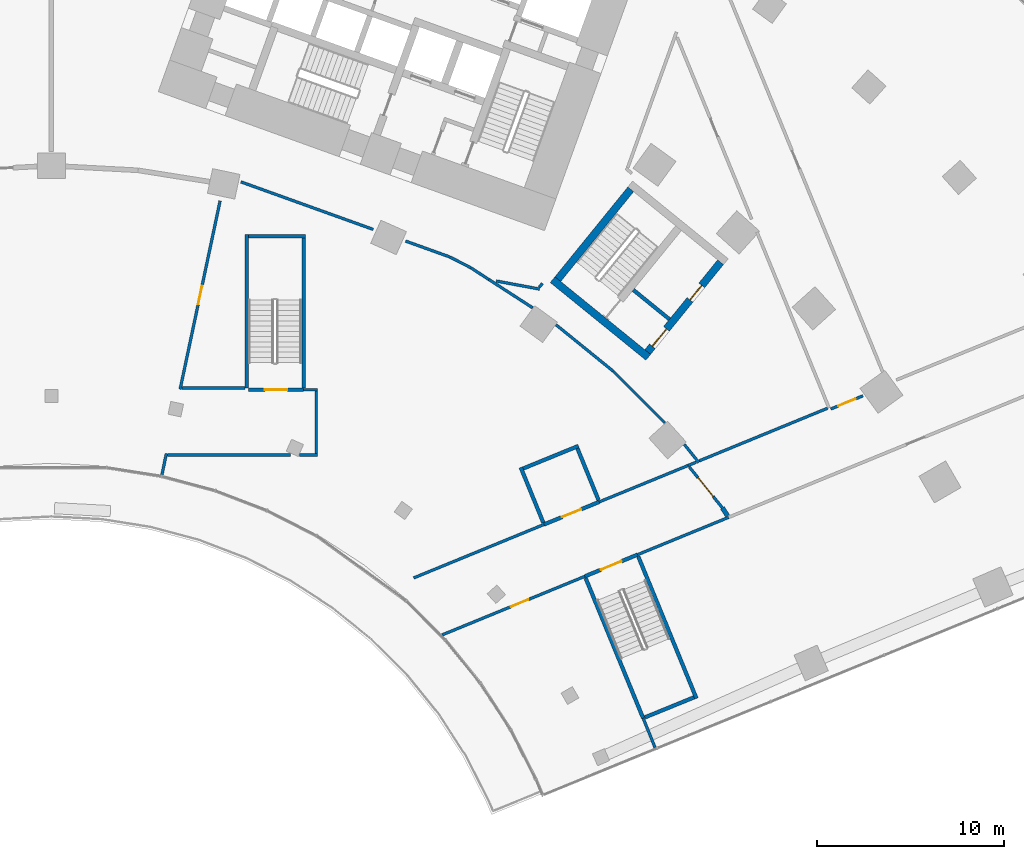
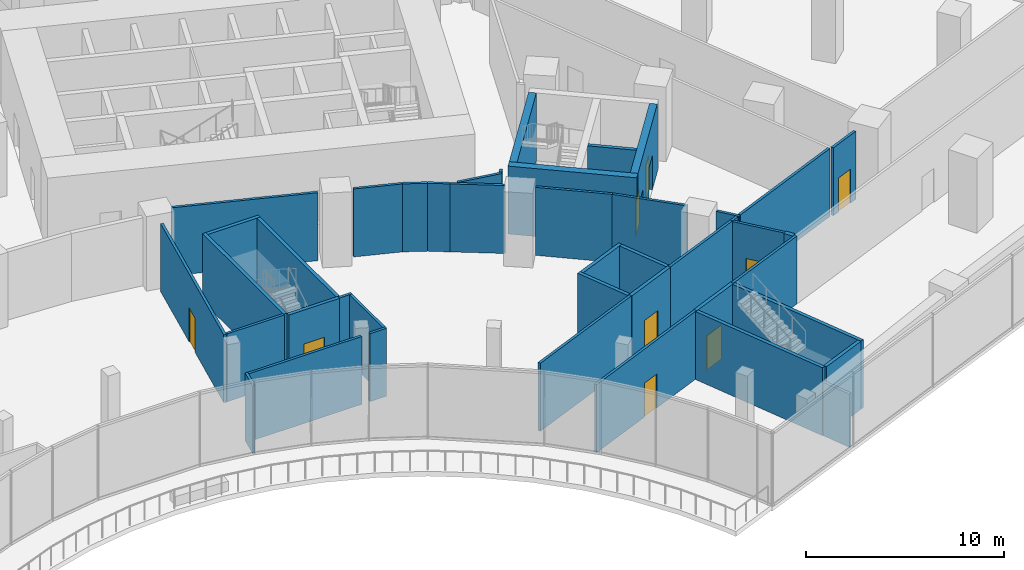
# One storey, part 26 of 39: 43 walls, 9 doors, 9 openings.
"""IFC4 building model written with IfcOpenShell, lengths in metres."""

from ifc_helpers import new_model, si_unit, direction, frame, frame_2d, origin, place, context, subcontext, project, spatial, rectangle, extrude, material, layer, layer_set, type_object, element, fill, save


model = new_model("IFC4")

# Units and contexts
model_context = context("Model", 3, precision=1e-05, world=origin(), true_north=direction((0.0, 1.0)))
body_context = subcontext(model_context, "Body", "Model", "MODEL_VIEW")
ifc_project = project(units=[si_unit("LENGTHUNIT", "METRE"), si_unit("AREAUNIT", "SQUARE_METRE"), si_unit("VOLUMEUNIT", "CUBIC_METRE"), si_unit("PLANEANGLEUNIT", "RADIAN"), si_unit("MASSUNIT", "GRAM", prefix="KILO")], contexts=[model_context])

# Site, building, storey
site_placement = place(None, origin())
site = spatial("IfcSite", under=ifc_project, at=site_placement, CompositionType="ELEMENT")
building_placement = place(site_placement, origin())
building = spatial("IfcBuilding", under=site, at=building_placement, Name="Stone Belt Terrace Tower", CompositionType="ELEMENT")
storey_placement = place(building_placement, frame((0.0, 0.0, 20.800048828125)))
storey = spatial("IfcBuildingStorey", under=building, at=storey_placement, Name="L04", CompositionType="ELEMENT", Elevation=20.800048828125)

# Walls
ifc_material_1 = material(Name="Fire-resistant glazing in steel frame", Category="steel")
ifc_layer_1 = layer(ifc_material_1, 0.25)
ifc_layer_set_1 = layer_set([ifc_layer_1], Name="Glazed compartment fire screen 250")
wall_type_1 = type_object("IfcWallType", Name="Glazed compartment fire screen 250", PredefinedType="PARTITIONING", material=ifc_layer_set_1)
wall_1_placement = place(storey_placement, frame((35.96337890625, 26.11474609375, 0.0), z_axis=(0.0, 0.0, 1.0), x_axis=(0.547453853433, -0.836835873013, 0.0)))
element("IfcWall", 1, at=wall_1_placement, inside=storey, type_object=wall_type_1, Name="Compartment fire screen L04 8", PredefinedType="PARTITIONING", context=body_context, shape_type="SweptSolid", body=[
    extrude(rectangle(XDim=0.5146484375, YDim=0.25, at=frame_2d((0.25732421875, 0.0))), origin(), (0.0, 0.0, 1.0), 4.199951171875),
])
ifc_material_2 = material(Name="Reinforced blockwork wall, plastered both faces", Category="masonry")
ifc_layer_2 = layer(ifc_material_2, 0.199951171875)
ifc_layer_set_2 = layer_set([ifc_layer_2], Name="Podium lift shaft wall 200")
wall_type_2 = type_object("IfcWallType", Name="Podium lift shaft wall 200", PredefinedType="SOLIDWALL", material=ifc_layer_set_2)
for number, where, z_axis, x_axis, name in (
    (2, (25.162109375, 28.272705078125, 0.0), (0.0, 0.0, 1.0), (0.378421783721, -0.925633271661, 0.0), "Podium lift shaft wall 200"),
    (3, (25.29248046875, 28.2177734375, 0.0), (0.0, 0.0, 1.0), (0.925660010793, 0.378356372246, 0.0), "Podium lift shaft wall 200"),
):
    element("IfcWall", number, at=place(storey_placement, frame(where, z_axis=z_axis, x_axis=x_axis)), inside=storey, type_object=wall_type_2, Name=name, PredefinedType="SOLIDWALL", context=body_context, shape_type="SweptSolid", body=[
        extrude(rectangle(XDim=3.197998046875, YDim=0.199951171875, at=frame_2d((1.59912109375, 0.0))), origin(), (0.0, 0.0, 1.0), 4.199951171875),
    ])

# Wall, opening, door
wall_2_placement = place(storey_placement, frame((26.41015625, 25.219970703125, 0.0), z_axis=(0.0, 0.0, 1.0), x_axis=(0.92564908085, 0.378383111571, 0.0)))
wall_2 = element("IfcWall", 4, at=wall_2_placement, inside=storey, type_object=wall_type_2, Name="Podium lift shaft wall 200", PredefinedType="SOLIDWALL", context=body_context, shape_type="SweptSolid", body=[
    extrude(rectangle(XDim=3.19775390625, YDim=0.199951171875, at=frame_2d((1.598876953125, 0.0))), origin(), (0.0, 0.0, 1.0), 4.199951171875),
])
opening_1_placement = place(wall_2_placement, frame((1.048828125, 0.0, 0.0)))
opening_1 = element("IfcOpeningElement", 5, at=opening_1_placement, cuts=wall_2, Name="Opening L04-P10", PredefinedType="OPENING", context=body_context, shape_type="SweptSolid", body=[
    extrude(rectangle(XDim=1.10009765625, YDim=2.10009765625, at=frame_2d((0.550048828125, 1.050048828125))), frame((0.0, 0.10986328125, 0.0), z_axis=(0.0, -1.0, 0.0), x_axis=(1.0, 0.0, 0.0)), (0.0, 0.0, 1.0), 0.219970703125),
])
ifc_material_3 = material(Name="Stainless steel sliding landing door leaf", Category="steel")
door_type_1 = type_object("IfcDoorType", Name="Podium landing door 1100", OperationType="SLIDING_TO_LEFT", PredefinedType="DOOR", material=ifc_material_3)
door_1_placement = place(opening_1_placement, origin())
door_1 = element("IfcDoor", 6, at=door_1_placement, inside=storey, type_object=door_type_1, Name="Podium landing door 1100", OperationType="SLIDING_TO_LEFT", OverallHeight=2.10009765625, OverallWidth=1.10009765625, PredefinedType="DOOR", context=body_context, shape_type="SweptSolid", body=[
    extrude(rectangle(XDim=1.10009765625, YDim=2.10009765625, at=frame_2d((0.550048828125, 1.050048828125))), frame((0.0, 0.02490234375, 0.0), z_axis=(0.0, -1.0, 0.0), x_axis=(1.0, 0.0, 0.0)), (0.0, 0.0, 1.0), 0.050048828125),
])
fill(opening_1, door_1)

# Walls
wall_3_placement = place(storey_placement, frame((28.19775390625, 29.29736328125, 0.0), z_axis=(0.0, 0.0, 1.0), x_axis=(0.378471104771, -0.925613106461, 0.0)))
element("IfcWall", 7, at=wall_3_placement, inside=storey, type_object=wall_type_2, Name="Podium lift shaft wall 200", PredefinedType="SOLIDWALL", context=body_context, shape_type="SweptSolid", body=[
    extrude(rectangle(XDim=2.99755859375, YDim=0.199951171875, at=frame_2d((1.498779296875, 0.0))), origin(), (0.0, 0.0, 1.0), 4.199951171875),
])
ifc_material_4 = material(Name="Gypsum board on steel stud partition", Category="steel")
ifc_layer_3 = layer(ifc_material_4, 0.14990234375)
ifc_layer_set_3 = layer_set([ifc_layer_3], Name="Podium partition 150")
wall_type_3 = type_object("IfcWallType", Name="Podium partition 150", PredefinedType="PARTITIONING", material=ifc_layer_set_3)
wall_4_placement = place(storey_placement, frame((5.929931640625, 27.8798828125, 0.0), z_axis=(0.0, 0.0, 1.0), x_axis=(0.203239314866, 0.979129093068, 0.0)))
element("IfcWall", 8, at=wall_4_placement, inside=storey, type_object=wall_type_3, Name="Podium partition 150", PredefinedType="PARTITIONING", context=body_context, shape_type="SweptSolid", body=[
    extrude(rectangle(XDim=1.1591796875, YDim=0.14990234375, at=frame_2d((0.57958984375, 0.0))), origin(), (0.0, 0.0, 1.0), 4.199951171875),
])
wall_5_placement = place(storey_placement, frame((6.2265625, 28.93994140625, 0.0), z_axis=(0.0, 0.0, 1.0), x_axis=(1.0, 0.0, 0.0)))
element("IfcWall", 9, at=wall_5_placement, inside=storey, type_object=wall_type_3, Name="Podium partition 150", PredefinedType="PARTITIONING", context=body_context, shape_type="SweptSolid", body=[
    extrude(rectangle(XDim=6.596435546875, YDim=0.14990234375, at=frame_2d((3.29833984375, 0.0))), origin(), (0.0, 0.0, 1.0), 4.199951171875),
])
wall_6_placement = place(storey_placement, frame((13.28955078125, 28.93994140625, 0.0), z_axis=(0.0, 0.0, 1.0), x_axis=(1.0, 0.0, 0.0)))
element("IfcWall", 10, at=wall_6_placement, inside=storey, type_object=wall_type_3, Name="Podium partition 150", PredefinedType="PARTITIONING", context=body_context, shape_type="SweptSolid", body=[
    extrude(rectangle(XDim=0.9853515625, YDim=0.14990234375, at=frame_2d((0.49267578125, 0.0))), origin(), (0.0, 0.0, 1.0), 4.199951171875),
])

# Wall, opening, door
wall_7_placement = place(storey_placement, frame((6.904052734375, 32.465087890625, 0.0), z_axis=(0.0, 0.0, 1.0), x_axis=(0.207631071438, 0.978207206155, 0.0)))
wall_7 = element("IfcWall", 11, at=wall_7_placement, inside=storey, type_object=wall_type_3, Name="Podium partition 150", PredefinedType="PARTITIONING", context=body_context, shape_type="SweptSolid", body=[
    extrude(rectangle(XDim=10.323974609375, YDim=0.14990234375, at=frame_2d((5.162109375, 0.0))), origin(), (0.0, 0.0, 1.0), 4.199951171875),
])
opening_2_placement = place(wall_7_placement, frame((4.662109375, 0.0, 0.0)))
opening_2 = element("IfcOpeningElement", 12, at=opening_2_placement, cuts=wall_7, Name="Opening L04-P27", PredefinedType="OPENING", context=body_context, shape_type="SweptSolid", body=[
    extrude(rectangle(XDim=1.0, YDim=2.10009765625, at=frame_2d((0.5, 1.050048828125))), frame((0.0, 0.0849609375, 0.0), z_axis=(0.0, -1.0, 0.0), x_axis=(1.0, 0.0, 0.0)), (0.0, 0.0, 1.0), 0.169921875),
])
ifc_material_5 = material(Name="Steel framed door leaf", Category="steel")
door_type_2 = type_object("IfcDoorType", Name="Podium door single 1000", OperationType="SINGLE_SWING_LEFT", PredefinedType="DOOR", material=ifc_material_5)
door_2_placement = place(opening_2_placement, origin())
door_2 = element("IfcDoor", 13, at=door_2_placement, inside=storey, type_object=door_type_2, Name="Podium door single 1000", OperationType="SINGLE_SWING_LEFT", OverallHeight=2.10009765625, OverallWidth=1.0, PredefinedType="DOOR", context=body_context, shape_type="SweptSolid", body=[
    extrude(rectangle(XDim=1.0, YDim=2.10009765625, at=frame_2d((0.5, 1.050048828125))), frame((0.0, 0.02490234375, 0.0), z_axis=(0.0, -1.0, 0.0), x_axis=(1.0, 0.0, 0.0)), (0.0, 0.0, 1.0), 0.050048828125),
])
fill(opening_2, door_2)

# Walls
wall_8_placement = place(storey_placement, frame((7.0126953125, 32.5400390625, 0.0), z_axis=(0.0, 0.0, 1.0), x_axis=(1.0, 0.0, 0.0)))
element("IfcWall", 14, at=wall_8_placement, inside=storey, type_object=wall_type_3, Name="Podium partition 150", PredefinedType="PARTITIONING", context=body_context, shape_type="SweptSolid", body=[
    extrude(rectangle(XDim=3.357421875, YDim=0.14990234375, at=frame_2d((1.6787109375, 0.0))), origin(), (0.0, 0.0, 1.0), 4.199951171875),
])
wall_9_placement = place(storey_placement, frame((10.16455078125, 43.580078125, 0.0), z_axis=(0.0, 0.0, 1.0), x_axis=(0.941061659063, -0.338235057084, 0.0)))
element("IfcWall", 15, at=wall_9_placement, inside=storey, type_object=wall_type_3, Name="Podium partition 150", PredefinedType="PARTITIONING", context=body_context, shape_type="SweptSolid", body=[
    extrude(rectangle(XDim=7.531982421875, YDim=0.14990234375, at=frame_2d((3.76611328125, 0.0))), origin(), (0.0, 0.0, 1.0), 4.199951171875),
])
wall_10_placement = place(storey_placement, frame((18.987060546875, 40.4091796875, 0.0), z_axis=(0.0, 0.0, 1.0), x_axis=(0.941061150678, -0.338236471548, 0.0)))
element("IfcWall", 16, at=wall_10_placement, inside=storey, type_object=wall_type_3, Name="Podium partition 150", PredefinedType="PARTITIONING", context=body_context, shape_type="SweptSolid", body=[
    extrude(rectangle(XDim=2.506103515625, YDim=0.14990234375, at=frame_2d((1.2529296875, 0.0))), origin(), (0.0, 0.0, 1.0), 4.199951171875),
])
wall_11_placement = place(storey_placement, frame((13.530029296875, 32.43994140625, 0.0), z_axis=(0.0, 0.0, 1.0), x_axis=(1.0, 0.0, 0.0)))
element("IfcWall", 17, at=wall_11_placement, inside=storey, type_object=wall_type_3, Name="Podium partition 150", PredefinedType="PARTITIONING", context=body_context, shape_type="SweptSolid", body=[
    extrude(rectangle(XDim=0.744873046875, YDim=0.14990234375, at=frame_2d((0.37255859375, 0.0))), origin(), (0.0, 0.0, 1.0), 4.199951171875),
])
wall_12_placement = place(storey_placement, frame((14.199951171875, 29.014892578125, 0.0), z_axis=(0.0, 0.0, 1.0), x_axis=(0.0, 1.0, 0.0)))
element("IfcWall", 18, at=wall_12_placement, inside=storey, type_object=wall_type_3, Name="Podium partition 150", PredefinedType="PARTITIONING", context=body_context, shape_type="SweptSolid", body=[
    extrude(rectangle(XDim=3.35009765625, YDim=0.14990234375, at=frame_2d((1.675048828125, 0.0))), origin(), (0.0, 0.0, 1.0), 4.199951171875),
])
wall_13_placement = place(storey_placement, frame((19.422607421875, 22.353515625, 0.0), z_axis=(0.0, 0.0, 1.0), x_axis=(0.925174730573, 0.379541457431, 0.0)))
element("IfcWall", 19, at=wall_13_placement, inside=storey, type_object=wall_type_3, Name="Podium partition 150", PredefinedType="PARTITIONING", context=body_context, shape_type="SweptSolid", body=[
    extrude(rectangle(XDim=7.552490234375, YDim=0.14990234375, at=frame_2d((3.7763671875, 0.0))), origin(), (0.0, 0.0, 1.0), 4.199951171875),
])

# Wall, opening, door
wall_14_placement = place(storey_placement, frame((20.949951171875, 19.300048828125, 0.0), z_axis=(0.0, 0.0, 1.0), x_axis=(0.925110391738, 0.379698252693, 0.0)))
wall_14 = element("IfcWall", 20, at=wall_14_placement, inside=storey, type_object=wall_type_3, Name="Podium partition 150", PredefinedType="PARTITIONING", context=body_context, shape_type="SweptSolid", body=[
    extrude(rectangle(XDim=8.26953125, YDim=0.14990234375, at=frame_2d((4.134765625, 0.0))), origin(), (0.0, 0.0, 1.0), 4.199951171875),
])
opening_3_placement = place(wall_14_placement, frame((3.983154296875, 0.0, 0.0)))
opening_3 = element("IfcOpeningElement", 21, at=opening_3_placement, cuts=wall_14, Name="Opening L04-P19", PredefinedType="OPENING", context=body_context, shape_type="SweptSolid", body=[
    extrude(rectangle(XDim=1.0, YDim=2.10009765625, at=frame_2d((0.5, 1.050048828125))), frame((0.0, 0.0849609375, 0.0), z_axis=(0.0, -1.0, 0.0), x_axis=(1.0, 0.0, 0.0)), (0.0, 0.0, 1.0), 0.169921875),
])
door_3_placement = place(opening_3_placement, origin())
door_3 = element("IfcDoor", 22, at=door_3_placement, inside=storey, type_object=door_type_2, Name="Podium door single 1000", OperationType="SINGLE_SWING_LEFT", OverallHeight=2.10009765625, OverallWidth=1.0, PredefinedType="DOOR", context=body_context, shape_type="SweptSolid", body=[
    extrude(rectangle(XDim=1.0, YDim=2.10009765625, at=frame_2d((0.5, 1.050048828125))), frame((0.0, 0.02490234375, 0.0), z_axis=(0.0, -1.0, 0.0), x_axis=(1.0, 0.0, 0.0)), (0.0, 0.0, 1.0), 0.050048828125),
])
fill(opening_3, door_3)

# Walls
wall_15_placement = place(storey_placement, frame((21.354248046875, 39.557861328125, 0.0), z_axis=(0.0, 0.0, 1.0), x_axis=(0.889660989896, -0.45662164103, 0.0)))
element("IfcWall", 23, at=wall_15_placement, inside=storey, type_object=wall_type_3, Name="Podium partition 150", PredefinedType="PARTITIONING", context=body_context, shape_type="SweptSolid", body=[
    extrude(rectangle(XDim=1.28369140625, YDim=0.14990234375, at=frame_2d((0.641845703125, 0.0))), origin(), (0.0, 0.0, 1.0), 4.199951171875),
])
wall_16_placement = place(storey_placement, frame((22.50341796875, 38.9677734375, 0.0), z_axis=(0.0, 0.0, 1.0), x_axis=(0.836119189662, -0.54854781075, 0.0)))
element("IfcWall", 24, at=wall_16_placement, inside=storey, type_object=wall_type_3, Name="Podium partition 150", PredefinedType="PARTITIONING", context=body_context, shape_type="SweptSolid", body=[
    extrude(rectangle(XDim=1.129150390625, YDim=0.14990234375, at=frame_2d((0.564453125, 0.0))), origin(), (0.0, 0.0, 1.0), 4.199951171875),
])
wall_17_placement = place(storey_placement, frame((23.449951171875, 38.35009765625, 0.0), z_axis=(0.0, 0.0, 1.0), x_axis=(0.839694084643, -0.54305970594, 0.0)))
element("IfcWall", 25, at=wall_17_placement, inside=storey, type_object=wall_type_3, Name="Podium partition 150", PredefinedType="PARTITIONING", context=body_context, shape_type="SweptSolid", body=[
    extrude(rectangle(XDim=2.80078125, YDim=0.14990234375, at=frame_2d((1.400390625, 0.0))), origin(), (0.0, 0.0, 1.0), 4.199951171875),
])
wall_18_placement = place(storey_placement, frame((23.840576171875, 38.26904296875, 0.0), z_axis=(0.0, 0.0, 1.0), x_axis=(0.983086995757, -0.183139178697, 0.0)))
element("IfcWall", 26, at=wall_18_placement, inside=storey, type_object=wall_type_3, Name="Podium partition 150", PredefinedType="PARTITIONING", context=body_context, shape_type="SweptSolid", body=[
    extrude(rectangle(XDim=2.372802734375, YDim=0.14990234375, at=frame_2d((1.1865234375, 0.0))), origin(), (0.0, 0.0, 1.0), 4.199951171875),
])
wall_19_placement = place(storey_placement, frame((26.156494140625, 37.93359375, 0.0), z_axis=(0.0, 0.0, 1.0), x_axis=(0.621296560358, 0.78357551269, 0.0)))
element("IfcWall", 27, at=wall_19_placement, inside=storey, type_object=wall_type_3, Name="Podium partition 150", PredefinedType="PARTITIONING", context=body_context, shape_type="SweptSolid", body=[
    extrude(rectangle(XDim=0.26318359375, YDim=0.14990234375, at=frame_2d((0.131591796875, 0.0))), origin(), (0.0, 0.0, 1.0), 4.199951171875),
])
wall_20_placement = place(storey_placement, frame((27.053466796875, 35.92041015625, 0.0), z_axis=(0.0, 0.0, 1.0), x_axis=(0.77647658463, -0.630146104901, 0.0)))
element("IfcWall", 28, at=wall_20_placement, inside=storey, type_object=wall_type_3, Name="Podium partition 150", PredefinedType="PARTITIONING", context=body_context, shape_type="SweptSolid", body=[
    extrude(rectangle(XDim=3.932373046875, YDim=0.14990234375, at=frame_2d((1.96630859375, 0.0))), origin(), (0.0, 0.0, 1.0), 4.199951171875),
])
wall_21_placement = place(storey_placement, frame((29.3701171875, 26.429931640625, 0.0), z_axis=(0.0, 0.0, 1.0), x_axis=(0.925357825015, 0.37909483732, 0.0)))
element("IfcWall", 29, at=wall_21_placement, inside=storey, type_object=wall_type_3, Name="Podium partition 150", PredefinedType="PARTITIONING", context=body_context, shape_type="SweptSolid", body=[
    extrude(rectangle(XDim=5.143798828125, YDim=0.14990234375, at=frame_2d((2.57177734375, 0.0))), origin(), (0.0, 0.0, 1.0), 4.199951171875),
])
wall_22_placement = place(storey_placement, frame((30.11279296875, 33.437255859375, 0.0), z_axis=(0.0, 0.0, 1.0), x_axis=(0.707106781187, -0.707106781187, 0.0)))
element("IfcWall", 30, at=wall_22_placement, inside=storey, type_object=wall_type_3, Name="Podium partition 150", PredefinedType="PARTITIONING", context=body_context, shape_type="SweptSolid", body=[
    extrude(rectangle(XDim=3.9287109375, YDim=0.14990234375, at=frame_2d((1.96435546875, 0.0))), origin(), (0.0, 0.0, 1.0), 4.199951171875),
])
wall_23_placement = place(storey_placement, frame((31.419921875, 23.60009765625, 0.0), z_axis=(0.0, 0.0, 1.0), x_axis=(0.92530860032, 0.379214970925, 0.0)))
element("IfcWall", 31, at=wall_23_placement, inside=storey, type_object=wall_type_3, Name="Podium partition 150", PredefinedType="PARTITIONING", context=body_context, shape_type="SweptSolid", body=[
    extrude(rectangle(XDim=5.274169921875, YDim=0.14990234375, at=frame_2d((2.63720703125, 0.0))), origin(), (0.0, 0.0, 1.0), 4.199951171875),
])
wall_24_placement = place(storey_placement, frame((31.72021484375, 14.83984375, 0.0), z_axis=(0.0, 0.0, 1.0), x_axis=(0.375412514618, -0.926857833688, 0.0)))
element("IfcWall", 32, at=wall_24_placement, inside=storey, type_object=wall_type_3, Name="Podium partition 150", PredefinedType="PARTITIONING", context=body_context, shape_type="SweptSolid", body=[
    extrude(rectangle(XDim=1.70458984375, YDim=0.14990234375, at=frame_2d((0.852294921875, 0.0))), origin(), (0.0, 0.0, 1.0), 3.300048828125),
])
wall_25_placement = place(storey_placement, frame((33.928955078125, 29.5048828125, 0.0), z_axis=(0.0, 0.0, 1.0), x_axis=(0.628428640306, -0.777867240629, 0.0)))
element("IfcWall", 33, at=wall_25_placement, inside=storey, type_object=wall_type_3, Name="Podium partition 150", PredefinedType="PARTITIONING", context=body_context, shape_type="SweptSolid", body=[
    extrude(rectangle(XDim=1.24169921875, YDim=0.14990234375, at=frame_2d((0.620849609375, 0.0))), origin(), (0.0, 0.0, 1.0), 4.199951171875),
])
wall_26_placement = place(storey_placement, frame((34.130126953125, 28.3798828125, 0.0), z_axis=(0.0, 0.0, 1.0), x_axis=(0.92589185911, 0.377788651543, 0.0)))
element("IfcWall", 34, at=wall_26_placement, inside=storey, type_object=wall_type_3, Name="Podium partition 150", PredefinedType="PARTITIONING", context=body_context, shape_type="SweptSolid", body=[
    extrude(rectangle(XDim=0.47314453125, YDim=0.14990234375, at=frame_2d((0.236572265625, 0.0))), origin(), (0.0, 0.0, 1.0), 4.199951171875),
])

# Wall, opening, door
wall_27_placement = place(storey_placement, frame((34.193115234375, 28.302001953125, 0.0), z_axis=(0.0, 0.0, 1.0), x_axis=(0.629303430663, -0.777159695401, 0.0)))
wall_27 = element("IfcWall", 35, at=wall_27_placement, inside=storey, type_object=wall_type_3, Name="Podium partition 150", PredefinedType="PARTITIONING", context=body_context, shape_type="SweptSolid", body=[
    extrude(rectangle(XDim=2.8037109375, YDim=0.14990234375, at=frame_2d((1.40185546875, 0.0))), origin(), (0.0, 0.0, 1.0), 4.199951171875),
])
opening_4_placement = place(wall_27_placement, frame((0.740966796875, 0.0, 0.0)))
opening_4 = element("IfcOpeningElement", 36, at=opening_4_placement, cuts=wall_27, Name="Opening L04-P35", PredefinedType="OPENING", context=body_context, shape_type="SweptSolid", body=[
    extrude(rectangle(XDim=1.300048828125, YDim=2.10009765625, at=frame_2d((0.64990234375, 1.050048828125))), frame((0.0, 0.0849609375, 0.0), z_axis=(0.0, -1.0, 0.0), x_axis=(1.0, 0.0, 0.0)), (0.0, 0.0, 1.0), 0.169921875),
])
ifc_material_6 = material(Name="Steel framed fire door leaf", Category="steel")
door_type_3 = type_object("IfcDoorType", Name="Fire door 1300 x 2100 EI 60", OperationType="SINGLE_SWING_LEFT", PredefinedType="DOOR", material=ifc_material_6)
door_4_placement = place(opening_4_placement, origin())
door_4 = element("IfcDoor", 37, at=door_4_placement, inside=storey, type_object=door_type_3, Name="Fire door 1300 x 2100 EI 60", OperationType="SINGLE_SWING_LEFT", OverallHeight=2.10009765625, OverallWidth=1.300048828125, PredefinedType="DOOR", context=body_context, shape_type="SweptSolid", body=[
    extrude(rectangle(XDim=1.300048828125, YDim=2.10009765625, at=frame_2d((0.64990234375, 1.050048828125))), frame((0.0, 0.02490234375, 0.0), z_axis=(0.0, -1.0, 0.0), x_axis=(1.0, 0.0, 0.0)), (0.0, 0.0, 1.0), 0.050048828125),
])
fill(opening_4, door_4)

# Wall
wall_28_placement = place(storey_placement, frame((34.732421875, 28.629638671875, 0.0), z_axis=(0.0, 0.0, 1.0), x_axis=(0.925161221297, 0.379574386133, 0.0)))
element("IfcWall", 38, at=wall_28_placement, inside=storey, type_object=wall_type_3, Name="Podium partition 150", PredefinedType="PARTITIONING", context=body_context, shape_type="SweptSolid", body=[
    extrude(rectangle(XDim=7.429443359375, YDim=0.14990234375, at=frame_2d((3.71484375, 0.0))), origin(), (0.0, 0.0, 1.0), 4.199951171875),
])

# Wall, opening, door
wall_29_placement = place(storey_placement, frame((41.779296875, 31.408447265625, 0.0), z_axis=(0.0, 0.0, 1.0), x_axis=(0.925419228922, 0.378944917821, 0.0)))
wall_29 = element("IfcWall", 39, at=wall_29_placement, inside=storey, type_object=wall_type_3, Name="Podium partition 150", PredefinedType="PARTITIONING", context=body_context, shape_type="SweptSolid", body=[
    extrude(rectangle(XDim=1.858154296875, YDim=0.14990234375, at=frame_2d((0.92919921875, 0.0))), origin(), (0.0, 0.0, 1.0), 4.199951171875),
])
opening_5_placement = place(wall_29_placement, frame((0.42919921875, 0.0, 0.0)))
opening_5 = element("IfcOpeningElement", 40, at=opening_5_placement, cuts=wall_29, Name="Opening L04-P33", PredefinedType="OPENING", context=body_context, shape_type="SweptSolid", body=[
    extrude(rectangle(XDim=1.0, YDim=2.10009765625, at=frame_2d((0.5, 1.050048828125))), frame((0.0, 0.0849609375, 0.0), z_axis=(0.0, -1.0, 0.0), x_axis=(1.0, 0.0, 0.0)), (0.0, 0.0, 1.0), 0.169921875),
])
door_5_placement = place(opening_5_placement, origin())
door_5 = element("IfcDoor", 41, at=door_5_placement, inside=storey, type_object=door_type_2, Name="Podium door single 1000", OperationType="SINGLE_SWING_LEFT", OverallHeight=2.10009765625, OverallWidth=1.0, PredefinedType="DOOR", context=body_context, shape_type="SweptSolid", body=[
    extrude(rectangle(XDim=1.0, YDim=2.10009765625, at=frame_2d((0.5, 1.050048828125))), frame((0.0, 0.02490234375, 0.0), z_axis=(0.0, -1.0, 0.0), x_axis=(1.0, 0.0, 0.0)), (0.0, 0.0, 1.0), 0.050048828125),
])
fill(opening_5, door_5)

ifc_material_7 = material(Name="Concrete B30", Category="concrete")
ifc_layer_4 = layer(ifc_material_7, 0.199951171875)
ifc_layer_set_4 = layer_set([ifc_layer_4], Name="Podium stair and shaft wall 200")
wall_type_4 = type_object("IfcWallType", Name="Podium stair and shaft wall 200", PredefinedType="SOLIDWALL", material=ifc_layer_set_4)
wall_30_placement = place(storey_placement, frame((10.570068359375, 32.43994140625, 0.0), z_axis=(0.0, 0.0, 1.0), x_axis=(1.0, 0.0, 0.0)))
wall_30 = element("IfcWall", 42, at=wall_30_placement, inside=storey, type_object=wall_type_4, Name="Podium stair and shaft wall 200", PredefinedType="SOLIDWALL", context=body_context, shape_type="SweptSolid", body=[
    extrude(rectangle(XDim=2.9599609375, YDim=0.199951171875, at=frame_2d((1.47998046875, 0.0))), origin(), (0.0, 0.0, 1.0), 4.199951171875),
])
opening_6_placement = place(wall_30_placement, frame((0.8798828125, 0.0, 0.0)))
opening_6 = element("IfcOpeningElement", 43, at=opening_6_placement, cuts=wall_30, Name="Opening L04-P06", PredefinedType="OPENING", context=body_context, shape_type="SweptSolid", body=[
    extrude(rectangle(XDim=1.199951171875, YDim=2.10009765625, at=frame_2d((0.60009765625, 1.050048828125))), frame((0.0, 0.10986328125, 0.0), z_axis=(0.0, -1.0, 0.0), x_axis=(1.0, 0.0, 0.0)), (0.0, 0.0, 1.0), 0.219970703125),
])
door_type_4 = type_object("IfcDoorType", Name="Podium door fire stair 1200", OperationType="SINGLE_SWING_LEFT", PredefinedType="DOOR", material=ifc_material_5)
door_6_placement = place(opening_6_placement, origin())
door_6 = element("IfcDoor", 44, at=door_6_placement, inside=storey, type_object=door_type_4, Name="Podium door fire stair 1200", OperationType="SINGLE_SWING_RIGHT", OverallHeight=2.10009765625, OverallWidth=1.199951171875, PredefinedType="DOOR", context=body_context, shape_type="SweptSolid", body=[
    extrude(rectangle(XDim=1.199951171875, YDim=2.10009765625, at=frame_2d((0.60009765625, 1.050048828125))), frame((0.0, 0.02490234375, 0.0), z_axis=(0.0, -1.0, 0.0), x_axis=(1.0, 0.0, 0.0)), (0.0, 0.0, 1.0), 0.050048828125),
])
fill(opening_6, door_6)

# Walls
wall_31_placement = place(storey_placement, frame((10.469970703125, 32.5400390625, 0.0), z_axis=(0.0, 0.0, 1.0), x_axis=(0.0, 1.0, 0.0)))
element("IfcWall", 45, at=wall_31_placement, inside=storey, type_object=wall_type_4, Name="Podium stair and shaft wall 200", PredefinedType="SOLIDWALL", context=body_context, shape_type="SweptSolid", body=[
    extrude(rectangle(XDim=8.219970703125, YDim=0.199951171875, at=frame_2d((4.10986328125, 0.0))), origin(), (0.0, 0.0, 1.0), 4.199951171875),
])
wall_32_placement = place(storey_placement, frame((10.570068359375, 40.659912109375, 0.0), z_axis=(0.0, 0.0, 1.0), x_axis=(1.0, 0.0, 0.0)))
element("IfcWall", 46, at=wall_32_placement, inside=storey, type_object=wall_type_4, Name="Podium stair and shaft wall 200", PredefinedType="SOLIDWALL", context=body_context, shape_type="SweptSolid", body=[
    extrude(rectangle(XDim=3.059814453125, YDim=0.199951171875, at=frame_2d((1.52978515625, 0.0))), origin(), (0.0, 0.0, 1.0), 4.199951171875),
])
wall_33_placement = place(storey_placement, frame((13.530029296875, 32.5400390625, 0.0), z_axis=(0.0, 0.0, 1.0), x_axis=(0.0, 1.0, 0.0)))
element("IfcWall", 47, at=wall_33_placement, inside=storey, type_object=wall_type_4, Name="Podium stair and shaft wall 200", PredefinedType="SOLIDWALL", context=body_context, shape_type="SweptSolid", body=[
    extrude(rectangle(XDim=8.02001953125, YDim=0.199951171875, at=frame_2d((4.010009765625, 0.0))), origin(), (0.0, 0.0, 1.0), 4.199951171875),
])

# Wall, opening, door
wall_34_placement = place(storey_placement, frame((28.60009765625, 22.43994140625, 0.0), z_axis=(0.0, 0.0, 1.0), x_axis=(0.924787502584, 0.380484001063, 0.0)))
wall_34 = element("IfcWall", 48, at=wall_34_placement, inside=storey, type_object=wall_type_4, Name="Podium stair and shaft wall 200", PredefinedType="SOLIDWALL", context=body_context, shape_type="SweptSolid", body=[
    extrude(rectangle(XDim=3.049072265625, YDim=0.199951171875, at=frame_2d((1.5244140625, 0.0))), origin(), (0.0, 0.0, 1.0), 4.199951171875),
])
opening_7_placement = place(wall_34_placement, frame((0.924560546875, 0.0, 0.0)))
opening_7 = element("IfcOpeningElement", 49, at=opening_7_placement, cuts=wall_34, Name="Opening L04-P03", PredefinedType="OPENING", context=body_context, shape_type="SweptSolid", body=[
    extrude(rectangle(XDim=1.199951171875, YDim=2.10009765625, at=frame_2d((0.60009765625, 1.050048828125))), frame((0.0, 0.10986328125, 0.0), z_axis=(0.0, -1.0, 0.0), x_axis=(1.0, 0.0, 0.0)), (0.0, 0.0, 1.0), 0.219970703125),
])
door_7_placement = place(opening_7_placement, origin())
door_7 = element("IfcDoor", 50, at=door_7_placement, inside=storey, type_object=door_type_4, Name="Podium door fire stair 1200", OperationType="SINGLE_SWING_LEFT", OverallHeight=2.10009765625, OverallWidth=1.199951171875, PredefinedType="DOOR", context=body_context, shape_type="SweptSolid", body=[
    extrude(rectangle(XDim=1.199951171875, YDim=2.10009765625, at=frame_2d((0.60009765625, 1.050048828125))), frame((0.0, 0.02490234375, 0.0), z_axis=(0.0, -1.0, 0.0), x_axis=(1.0, 0.0, 0.0)), (0.0, 0.0, 1.0), 0.050048828125),
])
fill(opening_7, door_7)

# Walls
wall_35_placement = place(storey_placement, frame((28.637939453125, 22.347412109375, 0.0), z_axis=(0.0, 0.0, 1.0), x_axis=(0.379778190266, -0.925077578476, 0.0)))
element("IfcWall", 51, at=wall_35_placement, inside=storey, type_object=wall_type_4, Name="Podium stair and shaft wall 200", PredefinedType="SOLIDWALL", context=body_context, shape_type="SweptSolid", body=[
    extrude(rectangle(XDim=8.115234375, YDim=0.199951171875, at=frame_2d((4.0576171875, 0.0))), origin(), (0.0, 0.0, 1.0), 4.199951171875),
])
wall_36_placement = place(storey_placement, frame((31.4580078125, 23.507568359375, 0.0), z_axis=(0.0, 0.0, 1.0), x_axis=(0.379325073911, -0.925263469668, 0.0)))
element("IfcWall", 52, at=wall_36_placement, inside=storey, type_object=wall_type_4, Name="Podium stair and shaft wall 200", PredefinedType="SOLIDWALL", context=body_context, shape_type="SweptSolid", body=[
    extrude(rectangle(XDim=8.224853515625, YDim=0.199951171875, at=frame_2d((4.1123046875, 0.0))), origin(), (0.0, 0.0, 1.0), 4.199951171875),
])
wall_37_placement = place(storey_placement, frame((31.8125, 14.877685546875, 0.0), z_axis=(0.0, 0.0, 1.0), x_axis=(0.925976847494, 0.377580293322, 0.0)))
element("IfcWall", 53, at=wall_37_placement, inside=storey, type_object=wall_type_4, Name="Podium stair and shaft wall 200", PredefinedType="SOLIDWALL", context=body_context, shape_type="SweptSolid", body=[
    extrude(rectangle(XDim=2.845703125, YDim=0.199951171875, at=frame_2d((1.4228515625, 0.0))), origin(), (0.0, 0.0, 1.0), 4.199951171875),
])
ifc_material_8 = material(Name="Concrete masonry block", Category="masonry")
ifc_layer_5 = layer(ifc_material_8, 0.199951171875)
ifc_layer_set_5 = layer_set([ifc_layer_5], Name="Rated lobby wall 200")
wall_type_5 = type_object("IfcWallType", Name="Rated lobby wall 200", PredefinedType="PARTITIONING", material=ifc_layer_set_5)
wall_38_placement = place(storey_placement, frame((31.190673828125, 37.79296875, 0.0), z_axis=(0.0, 0.0, 1.0), x_axis=(0.776370830301, -0.630276394813, 0.0)))
element("IfcWall", 54, at=wall_38_placement, inside=storey, type_object=wall_type_5, Name="Exit stair ST3B wall", PredefinedType="PARTITIONING", context=body_context, shape_type="SweptSolid", body=[
    extrude(rectangle(XDim=2.5, YDim=0.199951171875, at=frame_2d((1.25, 0.0))), origin(), (0.0, 0.0, 1.0), 4.199951171875),
])
ifc_material_9 = material(Name="Concrete B80", Category="concrete")
ifc_layer_6 = layer(ifc_material_9, 0.39990234375)
ifc_layer_set_6 = layer_set([ifc_layer_6], Name="Stair enclosure wall 400")
wall_type_6 = type_object("IfcWallType", Name="Stair enclosure wall 400", PredefinedType="SHEAR", material=ifc_layer_set_6)
wall_39_placement = place(storey_placement, frame((26.868408203125, 38.3388671875, 0.0), z_axis=(0.0, 0.0, 1.0), x_axis=(0.776428452498, -0.630205409491, 0.0)))
element("IfcWall", 55, at=wall_39_placement, inside=storey, type_object=wall_type_6, Name="Exit stair ST3B wall", PredefinedType="SHEAR", context=body_context, shape_type="SweptSolid", body=[
    extrude(rectangle(XDim=6.60009765625, YDim=0.39990234375, at=frame_2d((3.300048828125, 0.0))), origin(), (0.0, 0.0, 1.0), 4.199951171875),
])
wall_40_placement = place(storey_placement, frame((27.149658203125, 38.3681640625, 0.0), z_axis=(0.0, 0.0, 1.0), x_axis=(0.630211551729, 0.776423466973, 0.0)))
element("IfcWall", 56, at=wall_40_placement, inside=storey, type_object=wall_type_6, Name="Exit stair ST3B wall", PredefinedType="SHEAR", context=body_context, shape_type="SweptSolid", body=[
    extrude(rectangle(XDim=6.199951171875, YDim=0.39990234375, at=frame_2d((3.10009765625, 0.0))), origin(), (0.0, 0.0, 1.0), 4.199951171875),
])

# Wall, openings, doors
wall_41_placement = place(storey_placement, frame((31.963623046875, 34.460693359375, 0.0), z_axis=(0.0, 0.0, 1.0), x_axis=(0.630192283849, 0.776439106033, 0.0)))
wall_41 = element("IfcWall", 57, at=wall_41_placement, inside=storey, type_object=wall_type_6, Name="Exit stair ST3B wall", PredefinedType="SHEAR", context=body_context, shape_type="SweptSolid", body=[
    extrude(rectangle(XDim=6.199951171875, YDim=0.39990234375, at=frame_2d((3.10009765625, 0.0))), origin(), (0.0, 0.0, 1.0), 4.199951171875),
])
opening_8_placement = place(wall_41_placement, frame((0.39990234375, 0.0, 0.0)))
opening_8 = element("IfcOpeningElement", 58, at=opening_8_placement, cuts=wall_41, Name="Opening L04-C27", PredefinedType="OPENING", context=body_context, shape_type="SweptSolid", body=[
    extrude(rectangle(XDim=1.199951171875, YDim=2.10009765625, at=frame_2d((0.60009765625, 1.050048828125))), frame((0.0, 0.2099609375, 0.0), z_axis=(0.0, -1.0, 0.0), x_axis=(1.0, 0.0, 0.0)), (0.0, 0.0, 1.0), 0.419921875),
])
opening_9_placement = place(wall_41_placement, frame((3.60009765625, 0.0, 0.0)))
opening_9 = element("IfcOpeningElement", 59, at=opening_9_placement, cuts=wall_41, Name="Opening L04-C28", PredefinedType="OPENING", context=body_context, shape_type="SweptSolid", body=[
    extrude(rectangle(XDim=1.0, YDim=2.10009765625, at=frame_2d((0.5, 1.050048828125))), frame((0.0, 0.2099609375, 0.0), z_axis=(0.0, -1.0, 0.0), x_axis=(1.0, 0.0, 0.0)), (0.0, 0.0, 1.0), 0.419921875),
])
ifc_material_10 = material(Name="Timber door leaf", Category="wood")
door_type_5 = type_object("IfcDoorType", Name="Core room door 1000", OperationType="SINGLE_SWING_LEFT", PredefinedType="DOOR", material=ifc_material_10)
door_8_placement = place(opening_9_placement, origin())
door_8 = element("IfcDoor", 60, at=door_8_placement, inside=storey, type_object=door_type_5, Name="Door to stair pressurisation plant room ST3B", OperationType="SINGLE_SWING_LEFT", OverallHeight=2.10009765625, OverallWidth=1.0, PredefinedType="DOOR", context=body_context, shape_type="SweptSolid", body=[
    extrude(rectangle(XDim=1.0, YDim=2.10009765625, at=frame_2d((0.5, 1.050048828125))), frame((0.0, 0.02490234375, 0.0), z_axis=(0.0, -1.0, 0.0), x_axis=(1.0, 0.0, 0.0)), (0.0, 0.0, 1.0), 0.050048828125),
])
fill(opening_9, door_8)
ifc_material_11 = material(Name="Steel door leaf", Category="steel")
door_type_6 = type_object("IfcDoorType", Name="Stair airlock door 1200", OperationType="SINGLE_SWING_LEFT", PredefinedType="DOOR", material=ifc_material_11)
door_9_placement = place(opening_8_placement, origin())
door_9 = element("IfcDoor", 61, at=door_9_placement, inside=storey, type_object=door_type_6, Name="Stair airlock door ST3B", OperationType="SINGLE_SWING_LEFT", OverallHeight=2.10009765625, OverallWidth=1.199951171875, PredefinedType="DOOR", context=body_context, shape_type="SweptSolid", body=[
    extrude(rectangle(XDim=1.199951171875, YDim=2.10009765625, at=frame_2d((0.60009765625, 1.050048828125))), frame((0.0, 0.02490234375, 0.0), z_axis=(0.0, -1.0, 0.0), x_axis=(1.0, 0.0, 0.0)), (0.0, 0.0, 1.0), 0.050048828125),
])
fill(opening_8, door_9)

save(model, "model.ifc")
